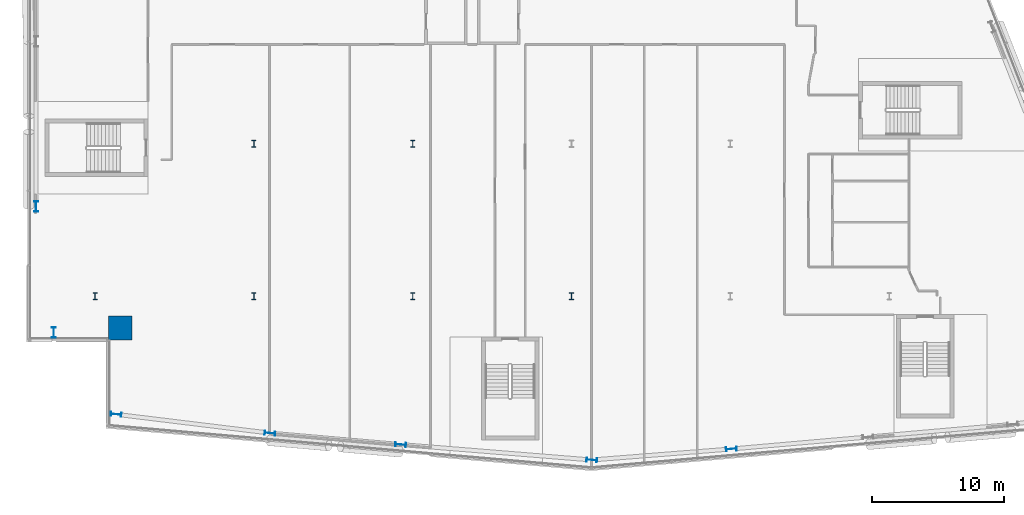
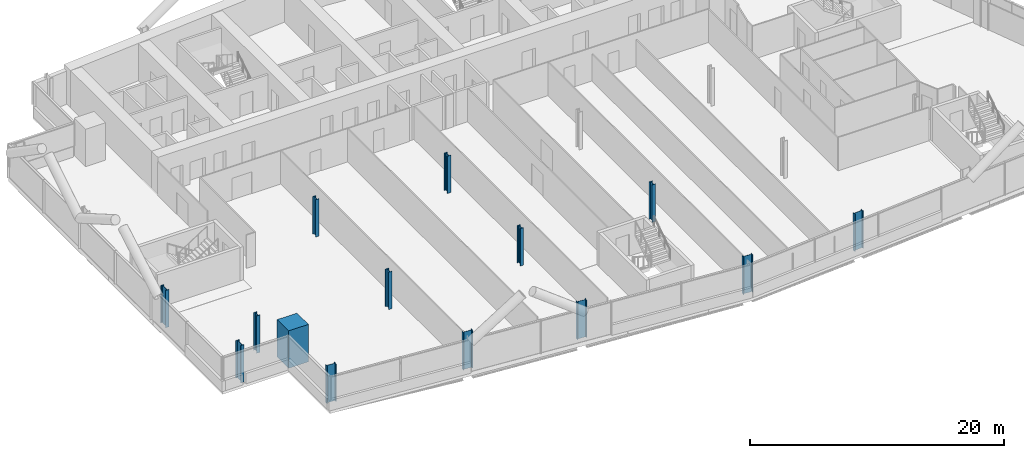
# One storey, part 1 of 25: 14 columns.
"""IFC4 building model written with IfcOpenShell, lengths in metres."""

from ifc_helpers import new_model, si_unit, direction, frame, origin, origin_2d, place, context, subcontext, project, spatial, rectangle, i_section, extrude, material, material_profile, profile_set, type_object, element, save


model = new_model("IFC4")

# Units and contexts
model_context = context("Model", 3, precision=1e-05, world=origin(), true_north=direction((0.0, 1.0)))
body_context = subcontext(model_context, "Body", "Model", "MODEL_VIEW")
ifc_project = project(units=[si_unit("LENGTHUNIT", "METRE"), si_unit("AREAUNIT", "SQUARE_METRE"), si_unit("VOLUMEUNIT", "CUBIC_METRE"), si_unit("PLANEANGLEUNIT", "RADIAN"), si_unit("MASSUNIT", "GRAM", prefix="KILO")], contexts=[model_context])

# Site, building, storey
site_placement = place(None, origin())
site = spatial("IfcSite", under=ifc_project, at=site_placement, CompositionType="ELEMENT")
building_placement = place(site_placement, origin())
building = spatial("IfcBuilding", under=site, at=building_placement, Name="Wharfspan Tower", CompositionType="ELEMENT")
storey_placement = place(building_placement, frame((0.0, 0.0, 121.899902)))
storey = spatial("IfcBuildingStorey", under=building, at=storey_placement, Name="L28", CompositionType="ELEMENT", Elevation=121.899902)

# Columns
ifc_material_1 = material(Name="Steel S355J2", Category="steel")
ifc_material_profile_1 = material_profile(ifc_material_1, i_section(OverallWidth=0.305908, OverallDepth=0.523926, WebThickness=0.020996, FlangeThickness=0.040039, FilletRadius=0.0271, at=origin_2d()))
ifc_profile_set_1 = profile_set([ifc_material_profile_1], Name="Steel S355J2")
column_type_1 = type_object("IfcColumnType", Name="Column HEM 500", PredefinedType="COLUMN", material=ifc_profile_set_1)
for number, where, z_axis, x_axis, name in (
    (1, (12.0, 11.5, 0.0), (0.0, 0.0, 1.0), (1.0, 0.0, 0.0), "Interior column I.1.1 L28"),
    (2, (24.0, 11.5, 0.0), (0.0, 0.0, 1.0), (1.0, 0.0, 0.0), "Interior column I.1.2 L28"),
    (3, (36.0, 11.5, 0.0), (0.0, 0.0, 1.0), (1.0, 0.0, 0.0), "Interior column I.1.3 L28"),
    (4, (48.0, 11.5, 0.0), (0.0, 0.0, 1.0), (1.0, 0.0, 0.0), "Interior column I.1.4 L28"),
    (5, (24.0, 23.0, 0.0), (0.0, 0.0, 1.0), (1.0, 0.0, 0.0), "Interior column I.2.1 L28"),
    (6, (36.0, 23.0, 0.0), (0.0, 0.0, 1.0), (1.0, 0.0, 0.0), "Interior column I.2.2 L28"),
):
    element("IfcColumn", number, at=place(storey_placement, frame(where, z_axis=z_axis, x_axis=x_axis)), inside=storey, type_object=column_type_1, Name=name, PredefinedType="COLUMN", context=body_context, shape_type="SweptSolid", body=[
        extrude(i_section(OverallWidth=0.305908, OverallDepth=0.523926, WebThickness=0.020996, FlangeThickness=0.040039, FilletRadius=0.0271, at=origin_2d()), origin(), (0.0, 0.0, 1.0), 3.600098),
    ])
ifc_material_profile_2 = material_profile(ifc_material_1, i_section(OverallWidth=0.302979, OverallDepth=0.813965, WebThickness=0.020996, FlangeThickness=0.040039, FilletRadius=0.030029, at=origin_2d()))
ifc_profile_set_2 = profile_set([ifc_material_profile_2], Name="Steel S355J2")
column_type_2 = type_object("IfcColumnType", Name="Column HEM 800", PredefinedType="COLUMN", material=ifc_profile_set_2)
for number, where, z_axis, x_axis, name in (
    (7, (13.590576, 2.569336, 0.0), (0.0, 0.0, 1.0), (-0.087156, -0.996198, 0.0), "Perimeter column PS1.1 L28"),
    (8, (25.213623, 1.148682, 0.0), (0.0, 0.0, 1.0), (-0.087156, -0.996198, 0.0), "Perimeter column PS1.2 L28"),
    (9, (35.089111, 0.284668, 0.0), (0.0, 0.0, 1.0), (-0.087156, -0.996198, 0.0), "Perimeter column PS1.3 L28"),
    (10, (49.53125, -0.881592, 0.0), (0.0, 0.0, 1.0), (-0.087156, -0.996198, 0.0), "Perimeter column PS1.4 L28"),
    (11, (60.077881, -0.050781, 0.0), (0.0, 0.0, 1.0), (0.087156, -0.996198, 0.0), "Perimeter column PS2.1 L28"),
    (12, (7.540039, 18.266602, 0.0), (0.0, 0.0, 1.0), (-1.0, 0.0, 0.0), "Perimeter column PW.2 L28"),
    (13, (8.884521, 8.742676, 0.0), (0.0, 0.0, 1.0), (-1.0, 0.0, 0.0), "Perimeter column PW.3 L28"),
):
    element("IfcColumn", number, at=place(storey_placement, frame(where, z_axis=z_axis, x_axis=x_axis)), inside=storey, type_object=column_type_2, Name=name, PredefinedType="COLUMN", context=body_context, shape_type="SweptSolid", body=[
        extrude(i_section(OverallWidth=0.302979, OverallDepth=0.813965, WebThickness=0.020996, FlangeThickness=0.040039, FilletRadius=0.030029, at=origin_2d()), origin(), (0.0, 0.0, 1.0), 3.600098),
    ])
ifc_material_2 = material(Name="Concrete C70/85", Category="concrete")
ifc_material_profile_3 = material_profile(ifc_material_2, rectangle(XDim=1.800049, YDim=1.800049, at=origin_2d()))
ifc_profile_set_3 = profile_set([ifc_material_profile_3], Name="Concrete C70/85")
column_type_3 = type_object("IfcColumnType", Name="Mega column 1800 C70/85", PredefinedType="COLUMN", material=ifc_profile_set_3)
column_placement = place(storey_placement, frame((13.899902, 9.100098, 0.0), z_axis=(0.0, 0.0, 1.0), x_axis=(1.0, 0.0, 0.0)))
element("IfcColumn", 14, at=column_placement, inside=storey, type_object=column_type_3, Name="Mega column MC1 L28", PredefinedType="COLUMN", context=body_context, shape_type="SweptSolid", body=[
    extrude(rectangle(XDim=1.800049, YDim=1.800049, at=origin_2d()), origin(), (0.0, 0.0, 1.0), 3.600098),
])

save(model, "model.ifc")
